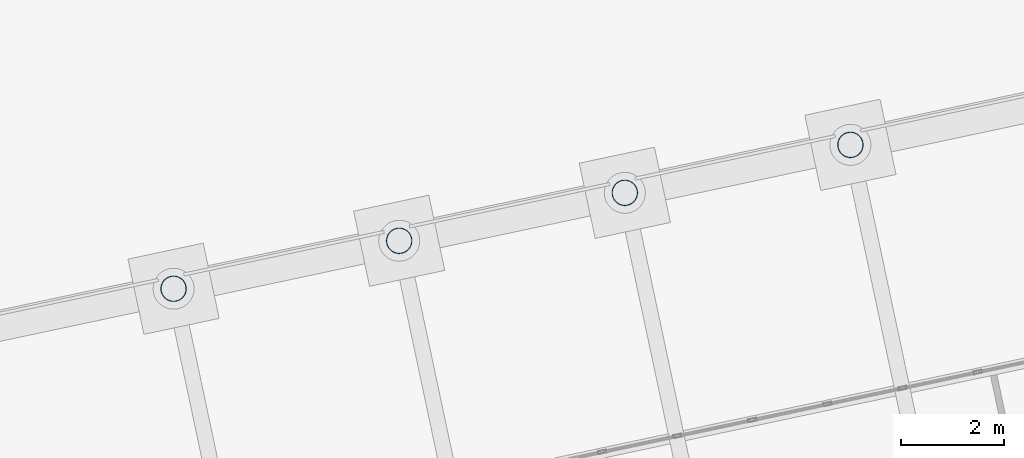
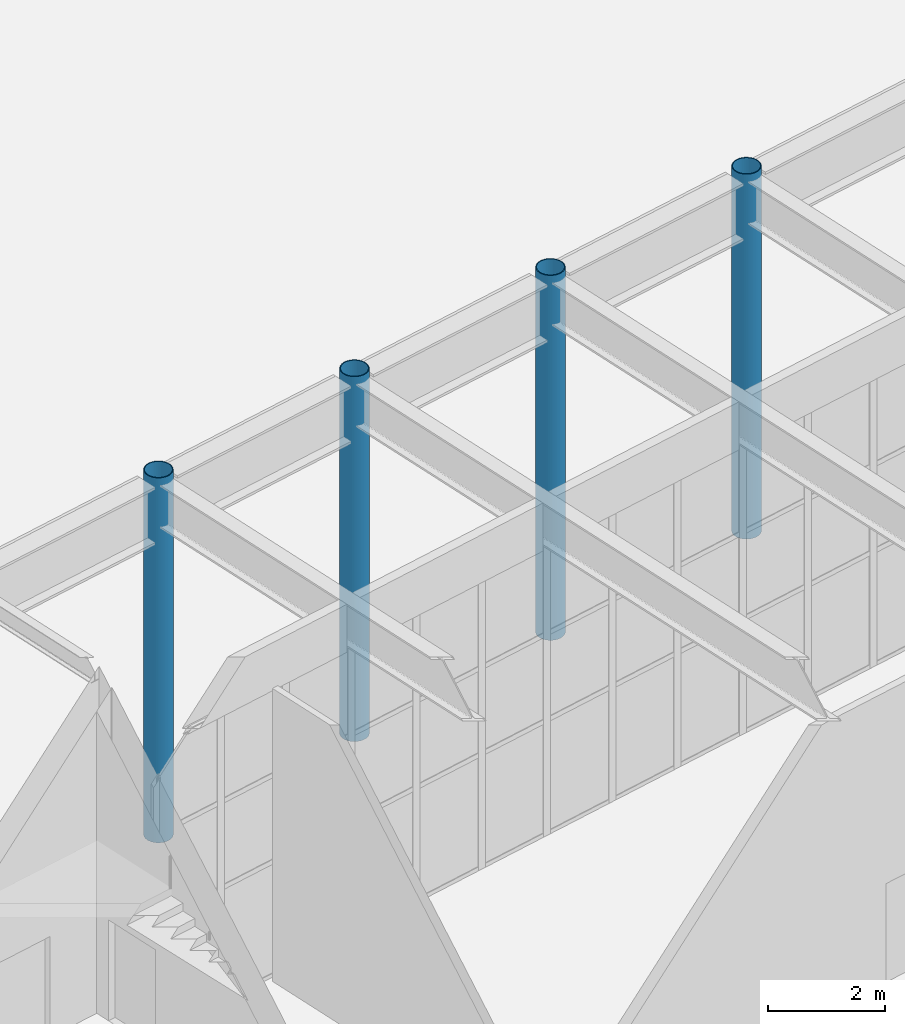
# One storey, part 16 of 239: 4 columns.
"""IFC4 building model written with IfcOpenShell, lengths in metres."""

from ifc_helpers import new_model, si_unit, direction, frame, origin, origin_2d, place, context, subcontext, project, spatial, hollow_circle, extrude, material, material_profile, profile_set, type_object, element, save


model = new_model("IFC4")

# Units and contexts
model_context = context("Model", 3, precision=1e-05, world=origin(), true_north=direction((0.0, 1.0)))
body_context = subcontext(model_context, "Body", "Model", "MODEL_VIEW")
ifc_project = project(units=[si_unit("LENGTHUNIT", "METRE"), si_unit("AREAUNIT", "SQUARE_METRE"), si_unit("VOLUMEUNIT", "CUBIC_METRE"), si_unit("PLANEANGLEUNIT", "RADIAN"), si_unit("MASSUNIT", "GRAM", prefix="KILO")], contexts=[model_context])

# Site, building, storey
site_placement = place(None, origin())
site = spatial("IfcSite", under=ifc_project, at=site_placement, CompositionType="ELEMENT")
building_placement = place(site_placement, origin())
building = spatial("IfcBuilding", under=site, at=building_placement, Name="Okhra Congress Centre", CompositionType="ELEMENT")
storey_placement = place(building_placement, origin())
storey = spatial("IfcBuildingStorey", under=building, at=storey_placement, Name="L00", CompositionType="ELEMENT", Elevation=0.0)

# Columns
ifc_material = material(Name="Steel S355J2H", Category="steel")
ifc_material_profile = material_profile(ifc_material, hollow_circle(Radius=0.25390625, WallThickness=0.01611328125, at=origin_2d()), Name="CHS 508x16")
ifc_profile_set = profile_set([ifc_material_profile], Name="Steel S355J2H")
column_type = type_object("IfcColumnType", Name="Round steel column CHS 508x16", PredefinedType="COLUMN", material=ifc_profile_set)
for number, where, z_axis, x_axis, name in (
    (1, (113.24267578125, 62.447509765625, -0.39990234375), (0.0, 0.0, 1.0), (0.978147600734, 0.207911690818, 0.0), "Round column 10N"),
    (2, (117.64453125, 63.38330078125, -0.39990234375), (0.0, 0.0, 1.0), (0.978147600734, 0.207911690818, 0.0), "Round column 11N"),
    (3, (122.046142578125, 64.31884765625, -0.39990234375), (0.0, 0.0, 1.0), (0.978147600734, 0.207911690818, 0.0), "Round column 12N"),
    (4, (126.44775390625, 65.25439453125, -0.39990234375), (0.0, 0.0, 1.0), (0.978147600734, 0.207911690818, 0.0), "Round column 13N"),
):
    element("IfcColumn", number, at=place(storey_placement, frame(where, z_axis=z_axis, x_axis=x_axis)), inside=storey, type_object=column_type, Name=name, PredefinedType="COLUMN", context=body_context, shape_type="SweptSolid", body=[
        extrude(hollow_circle(Radius=0.25390625, WallThickness=0.01611328125, at=origin_2d()), origin(), (0.0, 0.0, 1.0), 7.599853515625),
    ])

save(model, "model.ifc")
